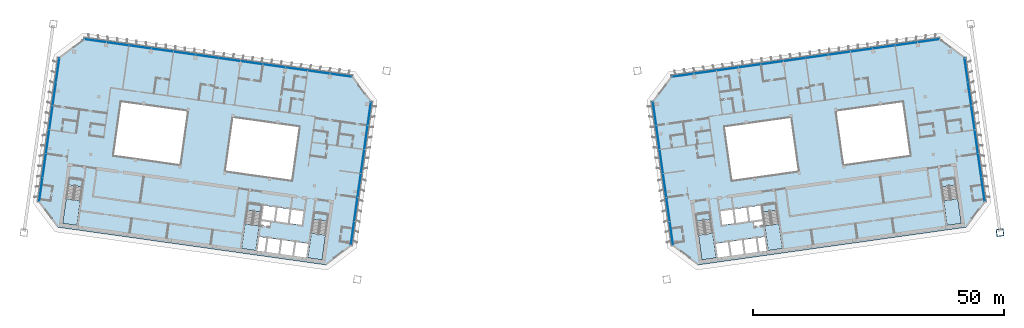
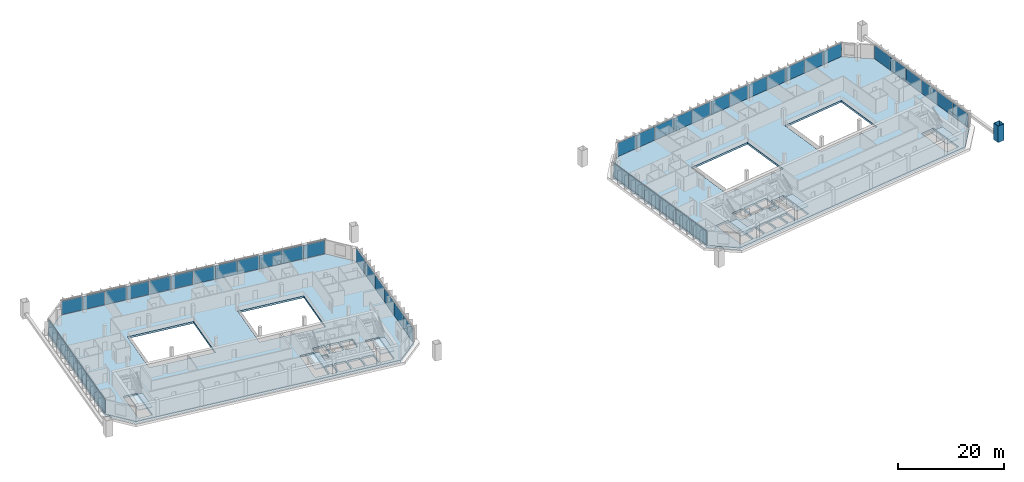
# One storey, part 16 of 31: 48 plates, 8 slabs, 1 member, 12 elements without a shape of their own.
"""IFC4 building model written with IfcOpenShell, lengths in metres."""

from ifc_helpers import new_model, si_unit, direction, frame, origin, origin_2d, place, context, subcontext, project, spatial, polyline, rectangle, hollow_rectangle, outline, extrude, material, layer, layer_set, material_profile, profile_set, type_object, element, aggregate, save


model = new_model("IFC4")

# Units and contexts
model_context = context("Model", 3, precision=1e-05, world=origin(), true_north=direction((0.0, 1.0)))
body_context = subcontext(model_context, "Body", "Model", "MODEL_VIEW")
ifc_project = project(units=[si_unit("LENGTHUNIT", "METRE"), si_unit("AREAUNIT", "SQUARE_METRE"), si_unit("VOLUMEUNIT", "CUBIC_METRE"), si_unit("PLANEANGLEUNIT", "RADIAN"), si_unit("MASSUNIT", "GRAM", prefix="KILO")], contexts=[model_context])

# Site, building, storey
site_placement = place(None, origin())
site = spatial("IfcSite", under=ifc_project, at=site_placement, CompositionType="ELEMENT")
building_placement = place(site_placement, origin())
building = spatial("IfcBuilding", under=site, at=building_placement, Name="Mirante Cascada Hotel Towers", CompositionType="ELEMENT")
storey_placement = place(building_placement, frame((0.0, 0.0, 157.4)))
storey = spatial("IfcBuildingStorey", under=building, at=storey_placement, Name="L36", CompositionType="ELEMENT", Elevation=157.4)

# Member
ifc_material_1 = material(Name="Steel ASTM A572 Gr 50", Category="steel")
ifc_material_profile = material_profile(ifc_material_1, hollow_rectangle(XDim=1.4, YDim=1.4, WallThickness=0.06, at=origin_2d()), Name="Box post 1400x1400x60 ASTM A572 Gr 50")
ifc_profile_set = profile_set([ifc_material_profile], Name="Steel ASTM A572 Gr 50")
member_type = type_object("IfcMemberType", Name="Box post 1400x1400x60 ASTM A572 Gr 50", PredefinedType="POST", material=ifc_profile_set)
member_placement = place(storey_placement, frame((97.2901, -13.7494, 0.0), z_axis=(0.0, 0.0, 1.0), x_axis=(0.9902681, 0.1391731, 0.0)))
element("IfcMember", 1, at=member_placement, inside=storey, type_object=member_type, Name="Mega column MP4 T2 L36", PredefinedType="POST", context=body_context, shape_type="SweptSolid", body=[
    extrude(hollow_rectangle(XDim=1.4, YDim=1.4, WallThickness=0.06, at=origin_2d()), origin(), (0.0, 0.0, 1.0), 3.8),
])

# Curtain wall, plates
ifc_material_2 = material(Name="Aluminium mullion and transom frame with clear laminated glass", Category="aluminium")
curtain_wall_type_1 = type_object("IfcCurtainWallType", Name="Ribbon curtain wall ECW1", PredefinedType="NOTDEFINED", material=ifc_material_2)
curtain_wall_1_placement = place(storey_placement, origin())
curtain_wall_1 = element("IfcCurtainWall", 2, at=curtain_wall_1_placement, inside=storey, type_object=curtain_wall_type_1, Name="Front ribbon wall T1 L36", PredefinedType="NOTDEFINED")
ifc_material_3 = material(Name="Clear laminated glass", Category="glass")
ifc_layer_1 = layer(ifc_material_3, 0.036)
ifc_layer_set_1 = layer_set([ifc_layer_1], Name="ECW1 glass panel 36")
plate_type_1 = type_object("IfcPlateType", Name="ECW1 glass panel 36", PredefinedType="CURTAIN_PANEL", material=ifc_layer_set_1)
plate_1_placement = place(storey_placement, frame((-83.0052, 24.4846, 0.1), z_axis=(0.0, 0.0, 1.0), x_axis=(0.9902681, -0.1391731, 0.0)))
plate_1 = element("IfcPlate", 3, at=plate_1_placement, type_object=plate_type_1, Name="ECW1 panel 1", PredefinedType="CURTAIN_PANEL", context=body_context, shape_type="SweptSolid", body=[
    extrude(rectangle(XDim=4.3951, YDim=0.036, at=origin_2d()), origin(), (0.0, 0.0, 1.0), 3.15),
])
plate_2_placement = place(storey_placement, frame((-78.5724, 23.8617, 0.1), z_axis=(0.0, 0.0, 1.0), x_axis=(0.9902681, -0.1391731, 0.0)))
plate_2 = element("IfcPlate", 4, at=plate_2_placement, type_object=plate_type_1, Name="ECW1 panel 2", PredefinedType="CURTAIN_PANEL", context=body_context, shape_type="SweptSolid", body=[
    extrude(rectangle(XDim=4.4276, YDim=0.036, at=origin_2d()), origin(), (0.0, 0.0, 1.0), 3.15),
])
plate_3_placement = place(storey_placement, frame((-74.1235, 23.2364, 0.1), z_axis=(0.0, 0.0, 1.0), x_axis=(0.9902681, -0.1391731, 0.0)))
plate_3 = element("IfcPlate", 5, at=plate_3_placement, type_object=plate_type_1, Name="ECW1 panel 3", PredefinedType="CURTAIN_PANEL", context=body_context, shape_type="SweptSolid", body=[
    extrude(rectangle(XDim=4.4276, YDim=0.036, at=origin_2d()), origin(), (0.0, 0.0, 1.0), 3.15),
])
plate_4_placement = place(storey_placement, frame((-69.6746, 22.6111, 0.1), z_axis=(0.0, 0.0, 1.0), x_axis=(0.9902681, -0.1391731, 0.0)))
plate_4 = element("IfcPlate", 6, at=plate_4_placement, type_object=plate_type_1, Name="ECW1 panel 4", PredefinedType="CURTAIN_PANEL", context=body_context, shape_type="SweptSolid", body=[
    extrude(rectangle(XDim=4.4276, YDim=0.036, at=origin_2d()), origin(), (0.0, 0.0, 1.0), 3.15),
])
plate_5_placement = place(storey_placement, frame((-65.2257, 21.9859, 0.1), z_axis=(0.0, 0.0, 1.0), x_axis=(0.9902681, -0.1391731, 0.0)))
plate_5 = element("IfcPlate", 7, at=plate_5_placement, type_object=plate_type_1, Name="ECW1 panel 5", PredefinedType="CURTAIN_PANEL", context=body_context, shape_type="SweptSolid", body=[
    extrude(rectangle(XDim=4.4276, YDim=0.036, at=origin_2d()), origin(), (0.0, 0.0, 1.0), 3.15),
])
plate_6_placement = place(storey_placement, frame((-60.7768, 21.3606, 0.1), z_axis=(0.0, 0.0, 1.0), x_axis=(0.9902681, -0.1391731, 0.0)))
plate_6 = element("IfcPlate", 8, at=plate_6_placement, type_object=plate_type_1, Name="ECW1 panel 6", PredefinedType="CURTAIN_PANEL", context=body_context, shape_type="SweptSolid", body=[
    extrude(rectangle(XDim=4.4276, YDim=0.036, at=origin_2d()), origin(), (0.0, 0.0, 1.0), 3.15),
])
plate_7_placement = place(storey_placement, frame((-56.3279, 20.7354, 0.1), z_axis=(0.0, 0.0, 1.0), x_axis=(0.9902681, -0.1391731, 0.0)))
plate_7 = element("IfcPlate", 9, at=plate_7_placement, type_object=plate_type_1, Name="ECW1 panel 7", PredefinedType="CURTAIN_PANEL", context=body_context, shape_type="SweptSolid", body=[
    extrude(rectangle(XDim=4.4276, YDim=0.036, at=origin_2d()), origin(), (0.0, 0.0, 1.0), 3.15),
])
plate_8_placement = place(storey_placement, frame((-51.879, 20.1101, 0.1), z_axis=(0.0, 0.0, 1.0), x_axis=(0.9902681, -0.1391731, 0.0)))
plate_8 = element("IfcPlate", 10, at=plate_8_placement, type_object=plate_type_1, Name="ECW1 panel 8", PredefinedType="CURTAIN_PANEL", context=body_context, shape_type="SweptSolid", body=[
    extrude(rectangle(XDim=4.4276, YDim=0.036, at=origin_2d()), origin(), (0.0, 0.0, 1.0), 3.15),
])
plate_9_placement = place(storey_placement, frame((-47.4301, 19.4849, 0.1), z_axis=(0.0, 0.0, 1.0), x_axis=(0.9902681, -0.1391731, 0.0)))
plate_9 = element("IfcPlate", 11, at=plate_9_placement, type_object=plate_type_1, Name="ECW1 panel 9", PredefinedType="CURTAIN_PANEL", context=body_context, shape_type="SweptSolid", body=[
    extrude(rectangle(XDim=4.4276, YDim=0.036, at=origin_2d()), origin(), (0.0, 0.0, 1.0), 3.15),
])
plate_10_placement = place(storey_placement, frame((-42.9812, 18.8596, 0.1), z_axis=(0.0, 0.0, 1.0), x_axis=(0.9902681, -0.1391731, 0.0)))
plate_10 = element("IfcPlate", 12, at=plate_10_placement, type_object=plate_type_1, Name="ECW1 panel 10", PredefinedType="CURTAIN_PANEL", context=body_context, shape_type="SweptSolid", body=[
    extrude(rectangle(XDim=4.4276, YDim=0.036, at=origin_2d()), origin(), (0.0, 0.0, 1.0), 3.15),
])
plate_11_placement = place(storey_placement, frame((-38.5323, 18.2344, 0.1), z_axis=(0.0, 0.0, 1.0), x_axis=(0.9902681, -0.1391731, 0.0)))
plate_11 = element("IfcPlate", 13, at=plate_11_placement, type_object=plate_type_1, Name="ECW1 panel 11", PredefinedType="CURTAIN_PANEL", context=body_context, shape_type="SweptSolid", body=[
    extrude(rectangle(XDim=4.4276, YDim=0.036, at=origin_2d()), origin(), (0.0, 0.0, 1.0), 3.15),
])
plate_12_placement = place(storey_placement, frame((-34.0995, 17.6114, 0.1), z_axis=(0.0, 0.0, 1.0), x_axis=(0.9902681, -0.1391731, 0.0)))
plate_12 = element("IfcPlate", 14, at=plate_12_placement, type_object=plate_type_1, Name="ECW1 panel 12", PredefinedType="CURTAIN_PANEL", context=body_context, shape_type="SweptSolid", body=[
    extrude(rectangle(XDim=4.3951, YDim=0.036, at=origin_2d()), origin(), (0.0, 0.0, 1.0), 3.15),
])
aggregate(curtain_wall_1, [plate_1, plate_2, plate_3, plate_4, plate_5, plate_6, plate_7, plate_8, plate_9, plate_10, plate_11, plate_12])

curtain_wall_2_placement = place(storey_placement, origin())
curtain_wall_2 = element("IfcCurtainWall", 15, at=curtain_wall_2_placement, inside=storey, type_object=curtain_wall_type_1, Name="Front ribbon wall T2 L36", PredefinedType="NOTDEFINED")
plate_13_placement = place(storey_placement, frame((83.0052, 24.4846, 0.1), z_axis=(0.0, 0.0, 1.0), x_axis=(-0.9902681, -0.1391731, 0.0)))
plate_13 = element("IfcPlate", 16, at=plate_13_placement, type_object=plate_type_1, Name="ECW1 panel 1", PredefinedType="CURTAIN_PANEL", context=body_context, shape_type="SweptSolid", body=[
    extrude(rectangle(XDim=4.3951, YDim=0.036, at=origin_2d()), origin(), (0.0, 0.0, 1.0), 3.15),
])
plate_14_placement = place(storey_placement, frame((78.5724, 23.8617, 0.1), z_axis=(0.0, 0.0, 1.0), x_axis=(-0.9902681, -0.1391731, 0.0)))
plate_14 = element("IfcPlate", 17, at=plate_14_placement, type_object=plate_type_1, Name="ECW1 panel 2", PredefinedType="CURTAIN_PANEL", context=body_context, shape_type="SweptSolid", body=[
    extrude(rectangle(XDim=4.4276, YDim=0.036, at=origin_2d()), origin(), (0.0, 0.0, 1.0), 3.15),
])
plate_15_placement = place(storey_placement, frame((74.1235, 23.2364, 0.1), z_axis=(0.0, 0.0, 1.0), x_axis=(-0.9902681, -0.1391731, 0.0)))
plate_15 = element("IfcPlate", 18, at=plate_15_placement, type_object=plate_type_1, Name="ECW1 panel 3", PredefinedType="CURTAIN_PANEL", context=body_context, shape_type="SweptSolid", body=[
    extrude(rectangle(XDim=4.4276, YDim=0.036, at=origin_2d()), origin(), (0.0, 0.0, 1.0), 3.15),
])
plate_16_placement = place(storey_placement, frame((69.6746, 22.6111, 0.1), z_axis=(0.0, 0.0, 1.0), x_axis=(-0.9902681, -0.1391731, 0.0)))
plate_16 = element("IfcPlate", 19, at=plate_16_placement, type_object=plate_type_1, Name="ECW1 panel 4", PredefinedType="CURTAIN_PANEL", context=body_context, shape_type="SweptSolid", body=[
    extrude(rectangle(XDim=4.4276, YDim=0.036, at=origin_2d()), origin(), (0.0, 0.0, 1.0), 3.15),
])
plate_17_placement = place(storey_placement, frame((65.2257, 21.9859, 0.1), z_axis=(0.0, 0.0, 1.0), x_axis=(-0.9902681, -0.1391731, 0.0)))
plate_17 = element("IfcPlate", 20, at=plate_17_placement, type_object=plate_type_1, Name="ECW1 panel 5", PredefinedType="CURTAIN_PANEL", context=body_context, shape_type="SweptSolid", body=[
    extrude(rectangle(XDim=4.4276, YDim=0.036, at=origin_2d()), origin(), (0.0, 0.0, 1.0), 3.15),
])
plate_18_placement = place(storey_placement, frame((60.7768, 21.3606, 0.1), z_axis=(0.0, 0.0, 1.0), x_axis=(-0.9902681, -0.1391731, 0.0)))
plate_18 = element("IfcPlate", 21, at=plate_18_placement, type_object=plate_type_1, Name="ECW1 panel 6", PredefinedType="CURTAIN_PANEL", context=body_context, shape_type="SweptSolid", body=[
    extrude(rectangle(XDim=4.4276, YDim=0.036, at=origin_2d()), origin(), (0.0, 0.0, 1.0), 3.15),
])
plate_19_placement = place(storey_placement, frame((56.3279, 20.7354, 0.1), z_axis=(0.0, 0.0, 1.0), x_axis=(-0.9902681, -0.1391731, 0.0)))
plate_19 = element("IfcPlate", 22, at=plate_19_placement, type_object=plate_type_1, Name="ECW1 panel 7", PredefinedType="CURTAIN_PANEL", context=body_context, shape_type="SweptSolid", body=[
    extrude(rectangle(XDim=4.4276, YDim=0.036, at=origin_2d()), origin(), (0.0, 0.0, 1.0), 3.15),
])
plate_20_placement = place(storey_placement, frame((51.879, 20.1101, 0.1), z_axis=(0.0, 0.0, 1.0), x_axis=(-0.9902681, -0.1391731, 0.0)))
plate_20 = element("IfcPlate", 23, at=plate_20_placement, type_object=plate_type_1, Name="ECW1 panel 8", PredefinedType="CURTAIN_PANEL", context=body_context, shape_type="SweptSolid", body=[
    extrude(rectangle(XDim=4.4276, YDim=0.036, at=origin_2d()), origin(), (0.0, 0.0, 1.0), 3.15),
])
plate_21_placement = place(storey_placement, frame((47.4301, 19.4849, 0.1), z_axis=(0.0, 0.0, 1.0), x_axis=(-0.9902681, -0.1391731, 0.0)))
plate_21 = element("IfcPlate", 24, at=plate_21_placement, type_object=plate_type_1, Name="ECW1 panel 9", PredefinedType="CURTAIN_PANEL", context=body_context, shape_type="SweptSolid", body=[
    extrude(rectangle(XDim=4.4276, YDim=0.036, at=origin_2d()), origin(), (0.0, 0.0, 1.0), 3.15),
])
plate_22_placement = place(storey_placement, frame((42.9812, 18.8596, 0.1), z_axis=(0.0, 0.0, 1.0), x_axis=(-0.9902681, -0.1391731, 0.0)))
plate_22 = element("IfcPlate", 25, at=plate_22_placement, type_object=plate_type_1, Name="ECW1 panel 10", PredefinedType="CURTAIN_PANEL", context=body_context, shape_type="SweptSolid", body=[
    extrude(rectangle(XDim=4.4276, YDim=0.036, at=origin_2d()), origin(), (0.0, 0.0, 1.0), 3.15),
])
plate_23_placement = place(storey_placement, frame((38.5323, 18.2344, 0.1), z_axis=(0.0, 0.0, 1.0), x_axis=(-0.9902681, -0.1391731, 0.0)))
plate_23 = element("IfcPlate", 26, at=plate_23_placement, type_object=plate_type_1, Name="ECW1 panel 11", PredefinedType="CURTAIN_PANEL", context=body_context, shape_type="SweptSolid", body=[
    extrude(rectangle(XDim=4.4276, YDim=0.036, at=origin_2d()), origin(), (0.0, 0.0, 1.0), 3.15),
])
plate_24_placement = place(storey_placement, frame((34.0995, 17.6114, 0.1), z_axis=(0.0, 0.0, 1.0), x_axis=(-0.9902681, -0.1391731, 0.0)))
plate_24 = element("IfcPlate", 27, at=plate_24_placement, type_object=plate_type_1, Name="ECW1 panel 12", PredefinedType="CURTAIN_PANEL", context=body_context, shape_type="SweptSolid", body=[
    extrude(rectangle(XDim=4.3951, YDim=0.036, at=origin_2d()), origin(), (0.0, 0.0, 1.0), 3.15),
])
aggregate(curtain_wall_2, [plate_13, plate_14, plate_15, plate_16, plate_17, plate_18, plate_19, plate_20, plate_21, plate_22, plate_23, plate_24])

ifc_material_4 = material(Name="Aluminium mullion and transom frame with clear laminated glass", Category="aluminium")
curtain_wall_type_2 = type_object("IfcCurtainWallType", Name="End ribbon curtain wall ECW2", PredefinedType="NOTDEFINED", material=ifc_material_4)
curtain_wall_3_placement = place(storey_placement, origin())
curtain_wall_3 = element("IfcCurtainWall", 28, at=curtain_wall_3_placement, inside=storey, type_object=curtain_wall_type_2, Name="Inner end wall T1 L36", PredefinedType="NOTDEFINED")
ifc_material_5 = material(Name="Clear laminated glass", Category="glass")
ifc_layer_2 = layer(ifc_material_5, 0.034)
ifc_layer_set_2 = layer_set([ifc_layer_2], Name="ECW2 glass panel 34")
plate_type_2 = type_object("IfcPlateType", Name="ECW2 glass panel 34", PredefinedType="CURTAIN_PANEL", material=ifc_layer_set_2)
plate_25_placement = place(storey_placement, frame((-28.4409, 9.9143, 0.1), z_axis=(0.0, 0.0, 1.0), x_axis=(-0.1391731, -0.9902681, 0.0)))
plate_25 = element("IfcPlate", 29, at=plate_25_placement, type_object=plate_type_2, Name="ECW2 panel 1", PredefinedType="CURTAIN_PANEL", context=body_context, shape_type="SweptSolid", body=[
    extrude(rectangle(XDim=4.7151, YDim=0.034, at=origin_2d()), origin(), (0.0, 0.0, 1.0), 3.15),
])
plate_26_placement = place(storey_placement, frame((-29.1085, 5.1646, 0.1), z_axis=(0.0, 0.0, 1.0), x_axis=(-0.1391731, -0.9902681, 0.0)))
plate_26 = element("IfcPlate", 30, at=plate_26_placement, type_object=plate_type_2, Name="ECW2 panel 2", PredefinedType="CURTAIN_PANEL", context=body_context, shape_type="SweptSolid", body=[
    extrude(rectangle(XDim=4.7476, YDim=0.034, at=origin_2d()), origin(), (0.0, 0.0, 1.0), 3.15),
])
plate_27_placement = place(storey_placement, frame((-29.7783, 0.3988, 0.1), z_axis=(0.0, 0.0, 1.0), x_axis=(-0.1391731, -0.9902681, 0.0)))
plate_27 = element("IfcPlate", 31, at=plate_27_placement, type_object=plate_type_2, Name="ECW2 panel 3", PredefinedType="CURTAIN_PANEL", context=body_context, shape_type="SweptSolid", body=[
    extrude(rectangle(XDim=4.7476, YDim=0.034, at=origin_2d()), origin(), (0.0, 0.0, 1.0), 3.15),
])
plate_28_placement = place(storey_placement, frame((-30.448, -4.367, 0.1), z_axis=(0.0, 0.0, 1.0), x_axis=(-0.1391731, -0.9902681, 0.0)))
plate_28 = element("IfcPlate", 32, at=plate_28_placement, type_object=plate_type_2, Name="ECW2 panel 4", PredefinedType="CURTAIN_PANEL", context=body_context, shape_type="SweptSolid", body=[
    extrude(rectangle(XDim=4.7476, YDim=0.034, at=origin_2d()), origin(), (0.0, 0.0, 1.0), 3.15),
])
plate_29_placement = place(storey_placement, frame((-31.1178, -9.1328, 0.1), z_axis=(0.0, 0.0, 1.0), x_axis=(-0.1391731, -0.9902681, 0.0)))
plate_29 = element("IfcPlate", 33, at=plate_29_placement, type_object=plate_type_2, Name="ECW2 panel 5", PredefinedType="CURTAIN_PANEL", context=body_context, shape_type="SweptSolid", body=[
    extrude(rectangle(XDim=4.7476, YDim=0.034, at=origin_2d()), origin(), (0.0, 0.0, 1.0), 3.15),
])
plate_30_placement = place(storey_placement, frame((-31.7854, -13.8825, 0.1), z_axis=(0.0, 0.0, 1.0), x_axis=(-0.1391731, -0.9902681, 0.0)))
plate_30 = element("IfcPlate", 34, at=plate_30_placement, type_object=plate_type_2, Name="ECW2 panel 6", PredefinedType="CURTAIN_PANEL", context=body_context, shape_type="SweptSolid", body=[
    extrude(rectangle(XDim=4.7151, YDim=0.034, at=origin_2d()), origin(), (0.0, 0.0, 1.0), 3.15),
])
aggregate(curtain_wall_3, [plate_25, plate_26, plate_27, plate_28, plate_29, plate_30])

curtain_wall_4_placement = place(storey_placement, origin())
curtain_wall_4 = element("IfcCurtainWall", 35, at=curtain_wall_4_placement, inside=storey, type_object=curtain_wall_type_2, Name="Outer end wall T1 L36", PredefinedType="NOTDEFINED")
plate_31_placement = place(storey_placement, frame((-93.9106, -5.1513, 0.1), z_axis=(0.0, 0.0, 1.0), x_axis=(0.1391731, 0.9902681, 0.0)))
plate_31 = element("IfcPlate", 36, at=plate_31_placement, type_object=plate_type_2, Name="ECW2 panel 1", PredefinedType="CURTAIN_PANEL", context=body_context, shape_type="SweptSolid", body=[
    extrude(rectangle(XDim=4.7151, YDim=0.034, at=origin_2d()), origin(), (0.0, 0.0, 1.0), 3.15),
])
plate_32_placement = place(storey_placement, frame((-93.243, -0.4017, 0.1), z_axis=(0.0, 0.0, 1.0), x_axis=(0.1391731, 0.9902681, 0.0)))
plate_32 = element("IfcPlate", 37, at=plate_32_placement, type_object=plate_type_2, Name="ECW2 panel 2", PredefinedType="CURTAIN_PANEL", context=body_context, shape_type="SweptSolid", body=[
    extrude(rectangle(XDim=4.7476, YDim=0.034, at=origin_2d()), origin(), (0.0, 0.0, 1.0), 3.15),
])
plate_33_placement = place(storey_placement, frame((-92.5732, 4.3641, 0.1), z_axis=(0.0, 0.0, 1.0), x_axis=(0.1391731, 0.9902681, 0.0)))
plate_33 = element("IfcPlate", 38, at=plate_33_placement, type_object=plate_type_2, Name="ECW2 panel 3", PredefinedType="CURTAIN_PANEL", context=body_context, shape_type="SweptSolid", body=[
    extrude(rectangle(XDim=4.7476, YDim=0.034, at=origin_2d()), origin(), (0.0, 0.0, 1.0), 3.15),
])
plate_34_placement = place(storey_placement, frame((-91.9035, 9.1299, 0.1), z_axis=(0.0, 0.0, 1.0), x_axis=(0.1391731, 0.9902681, 0.0)))
plate_34 = element("IfcPlate", 39, at=plate_34_placement, type_object=plate_type_2, Name="ECW2 panel 4", PredefinedType="CURTAIN_PANEL", context=body_context, shape_type="SweptSolid", body=[
    extrude(rectangle(XDim=4.7476, YDim=0.034, at=origin_2d()), origin(), (0.0, 0.0, 1.0), 3.15),
])
plate_35_placement = place(storey_placement, frame((-91.2337, 13.8957, 0.1), z_axis=(0.0, 0.0, 1.0), x_axis=(0.1391731, 0.9902681, 0.0)))
plate_35 = element("IfcPlate", 40, at=plate_35_placement, type_object=plate_type_2, Name="ECW2 panel 5", PredefinedType="CURTAIN_PANEL", context=body_context, shape_type="SweptSolid", body=[
    extrude(rectangle(XDim=4.7476, YDim=0.034, at=origin_2d()), origin(), (0.0, 0.0, 1.0), 3.15),
])
plate_36_placement = place(storey_placement, frame((-90.5661, 18.6454, 0.1), z_axis=(0.0, 0.0, 1.0), x_axis=(0.1391731, 0.9902681, 0.0)))
plate_36 = element("IfcPlate", 41, at=plate_36_placement, type_object=plate_type_2, Name="ECW2 panel 6", PredefinedType="CURTAIN_PANEL", context=body_context, shape_type="SweptSolid", body=[
    extrude(rectangle(XDim=4.7151, YDim=0.034, at=origin_2d()), origin(), (0.0, 0.0, 1.0), 3.15),
])
aggregate(curtain_wall_4, [plate_31, plate_32, plate_33, plate_34, plate_35, plate_36])

curtain_wall_5_placement = place(storey_placement, origin())
curtain_wall_5 = element("IfcCurtainWall", 42, at=curtain_wall_5_placement, inside=storey, type_object=curtain_wall_type_2, Name="Inner end wall T2 L36", PredefinedType="NOTDEFINED")
plate_37_placement = place(storey_placement, frame((28.4409, 9.9143, 0.1), z_axis=(0.0, 0.0, 1.0), x_axis=(0.1391731, -0.9902681, 0.0)))
plate_37 = element("IfcPlate", 43, at=plate_37_placement, type_object=plate_type_2, Name="ECW2 panel 1", PredefinedType="CURTAIN_PANEL", context=body_context, shape_type="SweptSolid", body=[
    extrude(rectangle(XDim=4.7151, YDim=0.034, at=origin_2d()), origin(), (0.0, 0.0, 1.0), 3.15),
])
plate_38_placement = place(storey_placement, frame((29.1085, 5.1646, 0.1), z_axis=(0.0, 0.0, 1.0), x_axis=(0.1391731, -0.9902681, 0.0)))
plate_38 = element("IfcPlate", 44, at=plate_38_placement, type_object=plate_type_2, Name="ECW2 panel 2", PredefinedType="CURTAIN_PANEL", context=body_context, shape_type="SweptSolid", body=[
    extrude(rectangle(XDim=4.7476, YDim=0.034, at=origin_2d()), origin(), (0.0, 0.0, 1.0), 3.15),
])
plate_39_placement = place(storey_placement, frame((29.7783, 0.3988, 0.1), z_axis=(0.0, 0.0, 1.0), x_axis=(0.1391731, -0.9902681, 0.0)))
plate_39 = element("IfcPlate", 45, at=plate_39_placement, type_object=plate_type_2, Name="ECW2 panel 3", PredefinedType="CURTAIN_PANEL", context=body_context, shape_type="SweptSolid", body=[
    extrude(rectangle(XDim=4.7476, YDim=0.034, at=origin_2d()), origin(), (0.0, 0.0, 1.0), 3.15),
])
plate_40_placement = place(storey_placement, frame((30.448, -4.367, 0.1), z_axis=(0.0, 0.0, 1.0), x_axis=(0.1391731, -0.9902681, 0.0)))
plate_40 = element("IfcPlate", 46, at=plate_40_placement, type_object=plate_type_2, Name="ECW2 panel 4", PredefinedType="CURTAIN_PANEL", context=body_context, shape_type="SweptSolid", body=[
    extrude(rectangle(XDim=4.7476, YDim=0.034, at=origin_2d()), origin(), (0.0, 0.0, 1.0), 3.15),
])
plate_41_placement = place(storey_placement, frame((31.1178, -9.1328, 0.1), z_axis=(0.0, 0.0, 1.0), x_axis=(0.1391731, -0.9902681, 0.0)))
plate_41 = element("IfcPlate", 47, at=plate_41_placement, type_object=plate_type_2, Name="ECW2 panel 5", PredefinedType="CURTAIN_PANEL", context=body_context, shape_type="SweptSolid", body=[
    extrude(rectangle(XDim=4.7476, YDim=0.034, at=origin_2d()), origin(), (0.0, 0.0, 1.0), 3.15),
])
plate_42_placement = place(storey_placement, frame((31.7854, -13.8825, 0.1), z_axis=(0.0, 0.0, 1.0), x_axis=(0.1391731, -0.9902681, 0.0)))
plate_42 = element("IfcPlate", 48, at=plate_42_placement, type_object=plate_type_2, Name="ECW2 panel 6", PredefinedType="CURTAIN_PANEL", context=body_context, shape_type="SweptSolid", body=[
    extrude(rectangle(XDim=4.7151, YDim=0.034, at=origin_2d()), origin(), (0.0, 0.0, 1.0), 3.15),
])
aggregate(curtain_wall_5, [plate_37, plate_38, plate_39, plate_40, plate_41, plate_42])

curtain_wall_6_placement = place(storey_placement, origin())
curtain_wall_6 = element("IfcCurtainWall", 49, at=curtain_wall_6_placement, inside=storey, type_object=curtain_wall_type_2, Name="Outer end wall T2 L36", PredefinedType="NOTDEFINED")
plate_43_placement = place(storey_placement, frame((93.9106, -5.1513, 0.1), z_axis=(0.0, 0.0, 1.0), x_axis=(-0.1391731, 0.9902681, 0.0)))
plate_43 = element("IfcPlate", 50, at=plate_43_placement, type_object=plate_type_2, Name="ECW2 panel 1", PredefinedType="CURTAIN_PANEL", context=body_context, shape_type="SweptSolid", body=[
    extrude(rectangle(XDim=4.7151, YDim=0.034, at=origin_2d()), origin(), (0.0, 0.0, 1.0), 3.15),
])
plate_44_placement = place(storey_placement, frame((93.243, -0.4017, 0.1), z_axis=(0.0, 0.0, 1.0), x_axis=(-0.1391731, 0.9902681, 0.0)))
plate_44 = element("IfcPlate", 51, at=plate_44_placement, type_object=plate_type_2, Name="ECW2 panel 2", PredefinedType="CURTAIN_PANEL", context=body_context, shape_type="SweptSolid", body=[
    extrude(rectangle(XDim=4.7476, YDim=0.034, at=origin_2d()), origin(), (0.0, 0.0, 1.0), 3.15),
])
plate_45_placement = place(storey_placement, frame((92.5732, 4.3641, 0.1), z_axis=(0.0, 0.0, 1.0), x_axis=(-0.1391731, 0.9902681, 0.0)))
plate_45 = element("IfcPlate", 52, at=plate_45_placement, type_object=plate_type_2, Name="ECW2 panel 3", PredefinedType="CURTAIN_PANEL", context=body_context, shape_type="SweptSolid", body=[
    extrude(rectangle(XDim=4.7476, YDim=0.034, at=origin_2d()), origin(), (0.0, 0.0, 1.0), 3.15),
])
plate_46_placement = place(storey_placement, frame((91.9035, 9.1299, 0.1), z_axis=(0.0, 0.0, 1.0), x_axis=(-0.1391731, 0.9902681, 0.0)))
plate_46 = element("IfcPlate", 53, at=plate_46_placement, type_object=plate_type_2, Name="ECW2 panel 4", PredefinedType="CURTAIN_PANEL", context=body_context, shape_type="SweptSolid", body=[
    extrude(rectangle(XDim=4.7476, YDim=0.034, at=origin_2d()), origin(), (0.0, 0.0, 1.0), 3.15),
])
plate_47_placement = place(storey_placement, frame((91.2337, 13.8957, 0.1), z_axis=(0.0, 0.0, 1.0), x_axis=(-0.1391731, 0.9902681, 0.0)))
plate_47 = element("IfcPlate", 54, at=plate_47_placement, type_object=plate_type_2, Name="ECW2 panel 5", PredefinedType="CURTAIN_PANEL", context=body_context, shape_type="SweptSolid", body=[
    extrude(rectangle(XDim=4.7476, YDim=0.034, at=origin_2d()), origin(), (0.0, 0.0, 1.0), 3.15),
])
plate_48_placement = place(storey_placement, frame((90.5661, 18.6454, 0.1), z_axis=(0.0, 0.0, 1.0), x_axis=(-0.1391731, 0.9902681, 0.0)))
plate_48 = element("IfcPlate", 55, at=plate_48_placement, type_object=plate_type_2, Name="ECW2 panel 6", PredefinedType="CURTAIN_PANEL", context=body_context, shape_type="SweptSolid", body=[
    extrude(rectangle(XDim=4.7151, YDim=0.034, at=origin_2d()), origin(), (0.0, 0.0, 1.0), 3.15),
])
aggregate(curtain_wall_6, [plate_43, plate_44, plate_45, plate_46, plate_47, plate_48])

# Stair, slab
ifc_material_6 = material(Name="Concrete C35/45", Category="concrete")
stair_type = type_object("IfcStairType", Name="Exit stair half-turn 1350 concrete C35/45", PredefinedType="HALF_TURN_STAIR", material=ifc_material_6)
stair_1_placement = place(storey_placement, origin())
stair_1 = element("IfcStair", 56, at=stair_1_placement, inside=storey, type_object=stair_type, Name="L36 Exit stair A", PredefinedType="HALF_TURN_STAIR")
ifc_material_7 = material(Name="Concrete C35/45", Category="concrete")
ifc_layer_3 = layer(ifc_material_7, 0.2)
ifc_layer_set_3 = layer_set([ifc_layer_3], Name="Exit stair landing 200 concrete C35/45")
slab_type_1 = type_object("IfcSlabType", Name="Exit stair landing 200 concrete C35/45", PredefinedType="LANDING", material=ifc_layer_set_3)
slab_1_placement = place(storey_placement, frame((0.0, 0.0, 1.7)))
slab_1 = element("IfcSlab", 57, at=slab_1_placement, type_object=slab_type_1, Name="ST1-A landing 1", PredefinedType="LANDING", context=body_context, shape_type="SweptSolid", body=[
    extrude(outline(polyline([(-39.9987, -13.8659), (-40.6887, -18.7757), (-37.8665, -19.1723), (-37.1765, -14.2626), (-39.9987, -13.8659)])), origin(), (0.0, 0.0, 1.0), 0.2),
])
aggregate(stair_1, [slab_1])

stair_2_placement = place(storey_placement, origin())
stair_2 = element("IfcStair", 58, at=stair_2_placement, inside=storey, type_object=stair_type, Name="L36 Exit stair B", PredefinedType="HALF_TURN_STAIR")
slab_2_placement = place(storey_placement, frame((0.0, 0.0, 1.7)))
slab_2 = element("IfcSlab", 59, at=slab_2_placement, type_object=slab_type_1, Name="ST1-B landing 1", PredefinedType="LANDING", context=body_context, shape_type="SweptSolid", body=[
    extrude(outline(polyline([(-53.2188, -12.008), (-53.9088, -16.9177), (-51.0866, -17.3144), (-50.3965, -12.4046), (-53.2188, -12.008)])), origin(), (0.0, 0.0, 1.0), 0.2),
])
aggregate(stair_2, [slab_2])

stair_3_placement = place(storey_placement, origin())
stair_3 = element("IfcStair", 60, at=stair_3_placement, inside=storey, type_object=stair_type, Name="L36 Exit stair C", PredefinedType="HALF_TURN_STAIR")
slab_3_placement = place(storey_placement, frame((0.0, 0.0, 1.7)))
slab_3 = element("IfcSlab", 61, at=slab_3_placement, type_object=slab_type_1, Name="ST1-C landing 1", PredefinedType="LANDING", context=body_context, shape_type="SweptSolid", body=[
    extrude(outline(polyline([(-88.8685, -6.9977), (-89.5585, -11.9075), (-86.7362, -12.3041), (-86.0462, -7.3944), (-88.8685, -6.9977)])), origin(), (0.0, 0.0, 1.0), 0.2),
])
aggregate(stair_3, [slab_3])

stair_4_placement = place(storey_placement, origin())
stair_4 = element("IfcStair", 62, at=stair_4_placement, inside=storey, type_object=stair_type, Name="L36 Exit stair A", PredefinedType="HALF_TURN_STAIR")
slab_4_placement = place(storey_placement, frame((0.0, 0.0, 1.7)))
slab_4 = element("IfcSlab", 63, at=slab_4_placement, type_object=slab_type_1, Name="ST2-A landing 1", PredefinedType="LANDING", context=body_context, shape_type="SweptSolid", body=[
    extrude(outline(polyline([(37.1765, -14.2626), (37.8665, -19.1723), (40.6887, -18.7757), (39.9987, -13.8659), (37.1765, -14.2626)])), origin(), (0.0, 0.0, 1.0), 0.2),
])
aggregate(stair_4, [slab_4])

stair_5_placement = place(storey_placement, origin())
stair_5 = element("IfcStair", 64, at=stair_5_placement, inside=storey, type_object=stair_type, Name="L36 Exit stair B", PredefinedType="HALF_TURN_STAIR")
slab_5_placement = place(storey_placement, frame((0.0, 0.0, 1.7)))
slab_5 = element("IfcSlab", 65, at=slab_5_placement, type_object=slab_type_1, Name="ST2-B landing 1", PredefinedType="LANDING", context=body_context, shape_type="SweptSolid", body=[
    extrude(outline(polyline([(50.3965, -12.4046), (51.0866, -17.3144), (53.9088, -16.9177), (53.2188, -12.008), (50.3965, -12.4046)])), origin(), (0.0, 0.0, 1.0), 0.2),
])
aggregate(stair_5, [slab_5])

stair_6_placement = place(storey_placement, origin())
stair_6 = element("IfcStair", 66, at=stair_6_placement, inside=storey, type_object=stair_type, Name="L36 Exit stair C", PredefinedType="HALF_TURN_STAIR")
slab_6_placement = place(storey_placement, frame((0.0, 0.0, 1.7)))
slab_6 = element("IfcSlab", 67, at=slab_6_placement, type_object=slab_type_1, Name="ST2-C landing 1", PredefinedType="LANDING", context=body_context, shape_type="SweptSolid", body=[
    extrude(outline(polyline([(86.0462, -7.3944), (86.7362, -12.3041), (89.5585, -11.9075), (88.8685, -6.9977), (86.0462, -7.3944)])), origin(), (0.0, 0.0, 1.0), 0.2),
])
aggregate(stair_6, [slab_6])

# Slabs
ifc_material_8 = material(Name="Concrete C40/50", Category="concrete")
ifc_layer_4 = layer(ifc_material_8, 0.45)
ifc_layer_set_4 = layer_set([ifc_layer_4], Name="Post-tensioned flat plate 450 Concrete C40/50")
slab_type_2 = type_object("IfcSlabType", Name="Post-tensioned flat plate 450 Concrete C40/50", PredefinedType="FLOOR", material=ifc_layer_set_4)
slab_7_placement = place(storey_placement, frame((0.0, 0.0, -0.45)))
element("IfcSlab", 68, at=slab_7_placement, inside=storey, type_object=slab_type_2, Name="Floor T1 L36", PredefinedType="FLOOR", context=body_context, shape_type="SweptSolid", body=[
    extrude(outline(polyline([(-31.9826, -16.3639), (-27.9466, 12.3539), (-31.7765, 17.4364), (-85.2864, 24.9567), (-90.3689, 21.1268), (-94.4049, -7.591), (-90.575, -12.6735), (-37.0651, -20.1938), (-31.9826, -16.3639)]), holes=[polyline([(-40.5961, -15.9612), (-40.9858, -18.7339), (-43.4615, -18.386), (-43.0718, -15.6132), (-40.5961, -15.9612)]), polyline([(-45.8446, -15.2236), (-43.3689, -15.5715), (-43.7586, -18.3442), (-46.2342, -17.9963), (-45.8446, -15.2236)]), polyline([(-48.6173, -14.8339), (-46.1416, -15.1818), (-46.5313, -17.9546), (-49.007, -17.6066), (-48.6173, -14.8339)]), polyline([(-37.8665, -19.1723), (-40.6887, -18.7757), (-39.611, -11.107), (-36.7887, -11.5037), (-37.8665, -19.1723)]), polyline([(-43.9775, -9.124), (-41.5018, -9.472), (-41.8915, -12.2447), (-44.3672, -11.8968), (-43.9775, -9.124)]), polyline([(-46.7503, -8.7344), (-44.2746, -9.0823), (-44.6643, -11.855), (-47.1399, -11.5071), (-46.7503, -8.7344)]), polyline([(-48.9144, -14.7921), (-49.3041, -17.5649), (-50.7895, -17.3561), (-50.3998, -14.5834), (-48.9144, -14.7921)]), polyline([(-50.0088, -9.6457), (-51.0866, -17.3144), (-53.9088, -16.9177), (-52.8311, -9.2491), (-50.0088, -9.6457)]), polyline([(-85.6585, -4.6355), (-86.7362, -12.3041), (-89.5585, -11.9075), (-88.4807, -4.2388), (-85.6585, -4.6355)]), polyline([(-48.1472, -11.6685), (-48.2829, -12.634), (-50.0901, -12.38), (-49.9544, -11.4145), (-48.1472, -11.6685)]), polyline([(-49.523, -8.3447), (-47.0473, -8.6926), (-47.437, -11.4654), (-49.9127, -11.1174), (-49.523, -8.3447)]), polyline([(-64.5782, 10.5343), (-64.5782, 10.5343), (-66.1091, -0.3586), (-66.1091, -0.3586), (-79.4915, 1.5222), (-77.9606, 12.4151), (-64.5782, 10.5343)]), polyline([(-42.3109, 7.4049), (-43.8418, -3.4881), (-57.1888, -1.6123), (-57.1888, -1.6123), (-55.6579, 9.2807), (-42.3109, 7.4049)])]), origin(), (0.0, 0.0, 1.0), 0.45),
])
slab_8_placement = place(storey_placement, frame((0.0, 0.0, -0.45)))
element("IfcSlab", 69, at=slab_8_placement, inside=storey, type_object=slab_type_2, Name="Floor T2 L36", PredefinedType="FLOOR", context=body_context, shape_type="SweptSolid", body=[
    extrude(outline(polyline([(31.9826, -16.3639), (27.9466, 12.3539), (31.7765, 17.4364), (85.2864, 24.9567), (90.3689, 21.1268), (94.4049, -7.591), (90.575, -12.6735), (37.0651, -20.1938), (31.9826, -16.3639)]), holes=[polyline([(40.5961, -15.9612), (40.9858, -18.7339), (43.4615, -18.386), (43.0718, -15.6132), (40.5961, -15.9612)]), polyline([(45.8446, -15.2236), (43.3689, -15.5715), (43.7586, -18.3442), (46.2342, -17.9963), (45.8446, -15.2236)]), polyline([(48.6173, -14.8339), (46.1416, -15.1818), (46.5313, -17.9546), (49.007, -17.6066), (48.6173, -14.8339)]), polyline([(40.6887, -18.7757), (39.611, -11.107), (36.7887, -11.5037), (37.8665, -19.1723), (40.6887, -18.7757)]), polyline([(43.9775, -9.124), (41.5018, -9.472), (41.8915, -12.2447), (44.3672, -11.8968), (43.9775, -9.124)]), polyline([(46.7503, -8.7344), (44.2746, -9.0823), (44.6643, -11.855), (47.1399, -11.5071), (46.7503, -8.7344)]), polyline([(48.9144, -14.7921), (49.3041, -17.5649), (50.7895, -17.3561), (50.3998, -14.5834), (48.9144, -14.7921)]), polyline([(51.0866, -17.3144), (53.9088, -16.9177), (52.8311, -9.2491), (50.0088, -9.6457), (51.0866, -17.3144)]), polyline([(86.7362, -12.3041), (89.5585, -11.9075), (88.4807, -4.2388), (85.6585, -4.6355), (86.7362, -12.3041)]), polyline([(48.1472, -11.6685), (48.2829, -12.634), (50.0901, -12.38), (49.9544, -11.4145), (48.1472, -11.6685)]), polyline([(49.523, -8.3447), (47.0473, -8.6926), (47.437, -11.4654), (49.9127, -11.1174), (49.523, -8.3447)]), polyline([(77.9606, 12.4151), (79.4915, 1.5222), (66.1091, -0.3586), (66.1091, -0.3586), (64.5782, 10.5343), (64.5782, 10.5343), (77.9606, 12.4151)]), polyline([(43.8418, -3.4881), (42.3109, 7.4049), (55.6579, 9.2807), (57.1888, -1.6123), (57.1888, -1.6123), (43.8418, -3.4881)])]), origin(), (0.0, 0.0, 1.0), 0.45),
])

save(model, "model.ifc")
